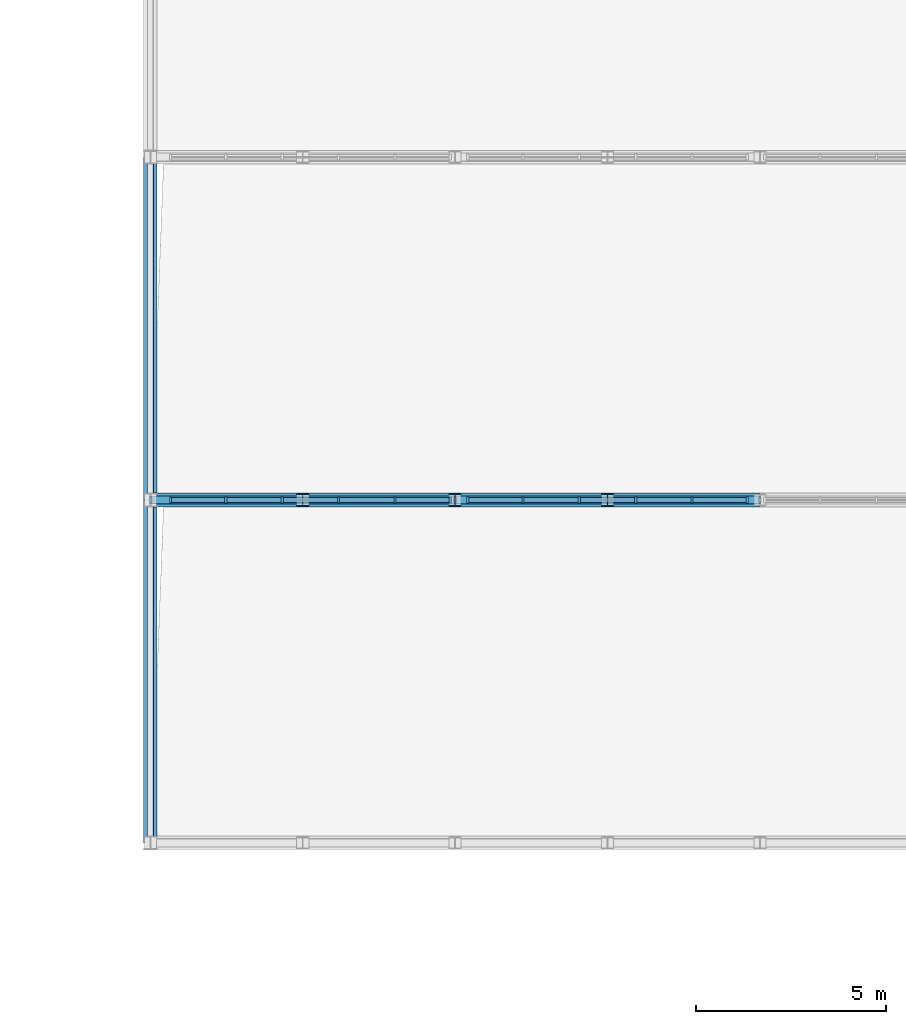
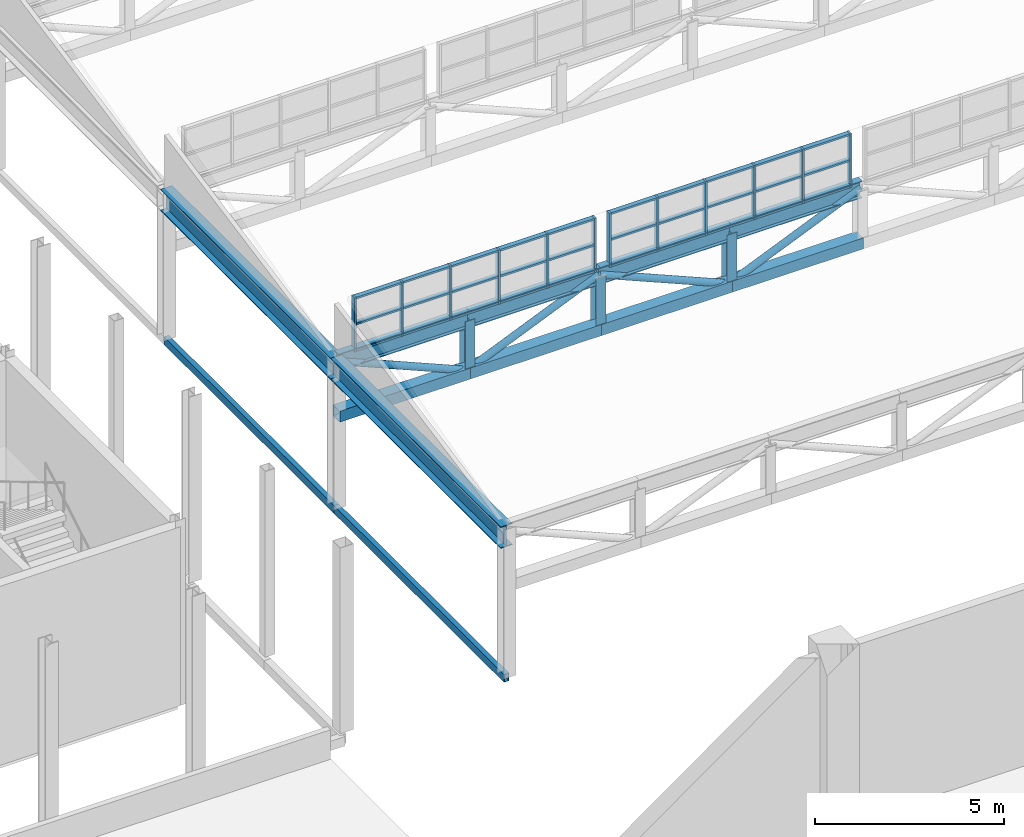
# One storey, part 75 of 159: 57 members, 4 beams, 2 elements without a shape of their own.
"""IFC4 building model written with IfcOpenShell, lengths in metres."""

from ifc_helpers import new_model, si_unit, direction, frame, origin, origin_2d, place, context, subcontext, project, spatial, rectangle, hollow_rectangle, hollow_circle, i_section, extrude, material, layer, layer_set, material_profile, profile_set, type_object, element, aggregate, save


model = new_model("IFC4")

# Units and contexts
model_context = context("Model", 3, precision=1e-05, world=origin(), true_north=direction((0.0, 1.0)))
body_context = subcontext(model_context, "Body", "Model", "MODEL_VIEW")
ifc_project = project(units=[si_unit("LENGTHUNIT", "METRE"), si_unit("AREAUNIT", "SQUARE_METRE"), si_unit("VOLUMEUNIT", "CUBIC_METRE"), si_unit("PLANEANGLEUNIT", "RADIAN"), si_unit("MASSUNIT", "GRAM", prefix="KILO")], contexts=[model_context])

# Site, building, storey
site_placement = place(None, origin())
site = spatial("IfcSite", under=ifc_project, at=site_placement, CompositionType="ELEMENT")
building_placement = place(site_placement, origin())
building = spatial("IfcBuilding", under=site, at=building_placement, Name="Cazmaro Siding Exhibition Halls", CompositionType="ELEMENT")
storey_placement = place(building_placement, frame((0.0, 0.0, 6.0)))
storey = spatial("IfcBuildingStorey", under=building, at=storey_placement, Name="L01", CompositionType="ELEMENT", Elevation=6.0)

# Curtain wall, members
ifc_material_1 = material(Name="Anodized Bronze Aluminum and Solar-Control Low-E Glazing", Category="aluminium")
ifc_layer = layer(ifc_material_1, 0.159912109375)
ifc_layer_set = layer_set([ifc_layer], Name="Anodized Bronze Aluminum and Solar-Control Low-E Glazing")
curtain_wall_type = type_object("IfcCurtainWallType", Name="CWS-04", PredefinedType="USERDEFINED", material=ifc_layer_set)
curtain_wall_1_placement = place(storey_placement, origin())
curtain_wall_1 = element("IfcCurtainWall", 1, at=curtain_wall_1_placement, inside=storey, type_object=curtain_wall_type, Name="Clerestory Curtain Wall CWS-04 CW-110", ObjectType="CLERESTORY CURTAIN WALL", PredefinedType="USERDEFINED")
ifc_material_2 = material(Name="Anodized Bronze Extruded Aluminum", Category="aluminium")
ifc_material_profile_1 = material_profile(ifc_material_2, rectangle(XDim=0.159912109375, YDim=0.06005859375, at=origin_2d()), Name="CWM-04")
ifc_profile_set_1 = profile_set([ifc_material_profile_1], Name="Anodized Bronze Extruded Aluminum")
member_type_1 = type_object("IfcMemberType", Name="CWM-04", PredefinedType="MULLION", material=ifc_profile_set_1)
member_1_placement = place(storey_placement, frame((183.8701171875, 73.0, 4.800048828125), z_axis=(0.0, 0.0, 1.0), x_axis=(0.0, -1.0, 0.0)))
member_1 = element("IfcMember", 2, at=member_1_placement, type_object=member_type_1, Name="CWS-04 mullion 1", PredefinedType="MULLION", context=body_context, shape_type="SweptSolid", body=[
    extrude(rectangle(XDim=0.159912109375, YDim=0.06005859375, at=origin_2d()), origin(), (0.0, 0.0, 1.0), 1.75),
])
member_2_placement = place(storey_placement, frame((182.419921875, 73.0, 4.800048828125), z_axis=(0.0, 0.0, 1.0), x_axis=(0.0, -1.0, 0.0)))
member_2 = element("IfcMember", 3, at=member_2_placement, type_object=member_type_1, Name="CWS-04 mullion 2", PredefinedType="MULLION", context=body_context, shape_type="SweptSolid", body=[
    extrude(rectangle(XDim=0.159912109375, YDim=0.06005859375, at=origin_2d()), origin(), (0.0, 0.0, 1.0), 1.75),
])
member_3_placement = place(storey_placement, frame((180.93994140625, 73.0, 4.800048828125), z_axis=(0.0, 0.0, 1.0), x_axis=(0.0, -1.0, 0.0)))
member_3 = element("IfcMember", 4, at=member_3_placement, type_object=member_type_1, Name="CWS-04 mullion 3", PredefinedType="MULLION", context=body_context, shape_type="SweptSolid", body=[
    extrude(rectangle(XDim=0.159912109375, YDim=0.06005859375, at=origin_2d()), origin(), (0.0, 0.0, 1.0), 1.75),
])
member_4_placement = place(storey_placement, frame((179.4599609375, 73.0, 4.800048828125), z_axis=(0.0, 0.0, 1.0), x_axis=(0.0, -1.0, 0.0)))
member_4 = element("IfcMember", 5, at=member_4_placement, type_object=member_type_1, Name="CWS-04 mullion 4", PredefinedType="MULLION", context=body_context, shape_type="SweptSolid", body=[
    extrude(rectangle(XDim=0.159912109375, YDim=0.06005859375, at=origin_2d()), origin(), (0.0, 0.0, 1.0), 1.75),
])
member_5_placement = place(storey_placement, frame((177.97998046875, 73.0, 4.800048828125), z_axis=(0.0, 0.0, 1.0), x_axis=(0.0, -1.0, 0.0)))
member_5 = element("IfcMember", 6, at=member_5_placement, type_object=member_type_1, Name="CWS-04 mullion 5", PredefinedType="MULLION", context=body_context, shape_type="SweptSolid", body=[
    extrude(rectangle(XDim=0.159912109375, YDim=0.06005859375, at=origin_2d()), origin(), (0.0, 0.0, 1.0), 1.75),
])
member_6_placement = place(storey_placement, frame((176.530029296875, 73.0, 4.800048828125), z_axis=(0.0, 0.0, 1.0), x_axis=(0.0, -1.0, 0.0)))
member_6 = element("IfcMember", 7, at=member_6_placement, type_object=member_type_1, Name="CWS-04 mullion 6", PredefinedType="MULLION", context=body_context, shape_type="SweptSolid", body=[
    extrude(rectangle(XDim=0.159912109375, YDim=0.06005859375, at=origin_2d()), origin(), (0.0, 0.0, 1.0), 1.75),
])

curtain_wall_2_placement = place(storey_placement, origin())
curtain_wall_2 = element("IfcCurtainWall", 8, at=curtain_wall_2_placement, inside=storey, type_object=curtain_wall_type, Name="Clerestory Curtain Wall CWS-04 CW-111", ObjectType="CLERESTORY CURTAIN WALL", PredefinedType="USERDEFINED")
member_7_placement = place(storey_placement, frame((191.669921875, 73.0, 4.800048828125), z_axis=(0.0, 0.0, 1.0), x_axis=(0.0, -1.0, 0.0)))
member_7 = element("IfcMember", 9, at=member_7_placement, type_object=member_type_1, Name="CWS-04 mullion 1", PredefinedType="MULLION", context=body_context, shape_type="SweptSolid", body=[
    extrude(rectangle(XDim=0.159912109375, YDim=0.06005859375, at=origin_2d()), origin(), (0.0, 0.0, 1.0), 1.75),
])
member_8_placement = place(storey_placement, frame((190.219970703125, 73.0, 4.800048828125), z_axis=(0.0, 0.0, 1.0), x_axis=(0.0, -1.0, 0.0)))
member_8 = element("IfcMember", 10, at=member_8_placement, type_object=member_type_1, Name="CWS-04 mullion 2", PredefinedType="MULLION", context=body_context, shape_type="SweptSolid", body=[
    extrude(rectangle(XDim=0.159912109375, YDim=0.06005859375, at=origin_2d()), origin(), (0.0, 0.0, 1.0), 1.75),
])
member_9_placement = place(storey_placement, frame((188.739990234375, 73.0, 4.800048828125), z_axis=(0.0, 0.0, 1.0), x_axis=(0.0, -1.0, 0.0)))
member_9 = element("IfcMember", 11, at=member_9_placement, type_object=member_type_1, Name="CWS-04 mullion 3", PredefinedType="MULLION", context=body_context, shape_type="SweptSolid", body=[
    extrude(rectangle(XDim=0.159912109375, YDim=0.06005859375, at=origin_2d()), origin(), (0.0, 0.0, 1.0), 1.75),
])
member_10_placement = place(storey_placement, frame((187.260009765625, 73.0, 4.800048828125), z_axis=(0.0, 0.0, 1.0), x_axis=(0.0, -1.0, 0.0)))
member_10 = element("IfcMember", 12, at=member_10_placement, type_object=member_type_1, Name="CWS-04 mullion 4", PredefinedType="MULLION", context=body_context, shape_type="SweptSolid", body=[
    extrude(rectangle(XDim=0.159912109375, YDim=0.06005859375, at=origin_2d()), origin(), (0.0, 0.0, 1.0), 1.75),
])
member_11_placement = place(storey_placement, frame((185.780029296875, 73.0, 4.800048828125), z_axis=(0.0, 0.0, 1.0), x_axis=(0.0, -1.0, 0.0)))
member_11 = element("IfcMember", 13, at=member_11_placement, type_object=member_type_1, Name="CWS-04 mullion 5", PredefinedType="MULLION", context=body_context, shape_type="SweptSolid", body=[
    extrude(rectangle(XDim=0.159912109375, YDim=0.06005859375, at=origin_2d()), origin(), (0.0, 0.0, 1.0), 1.75),
])
member_12_placement = place(storey_placement, frame((184.330078125, 73.0, 4.800048828125), z_axis=(0.0, 0.0, 1.0), x_axis=(0.0, -1.0, 0.0)))
member_12 = element("IfcMember", 14, at=member_12_placement, type_object=member_type_1, Name="CWS-04 mullion 6", PredefinedType="MULLION", context=body_context, shape_type="SweptSolid", body=[
    extrude(rectangle(XDim=0.159912109375, YDim=0.06005859375, at=origin_2d()), origin(), (0.0, 0.0, 1.0), 1.75),
])

# Member
ifc_material_3 = material(Name="Anodized Bronze Extruded Aluminum", Category="aluminium")
ifc_material_profile_2 = material_profile(ifc_material_3, rectangle(XDim=0.139892578125, YDim=0.06005859375, at=origin_2d()), Name="CWT-04")
ifc_profile_set_2 = profile_set([ifc_material_profile_2], Name="Anodized Bronze Extruded Aluminum")
member_type_2 = type_object("IfcMemberType", Name="CWT-04", PredefinedType="MULLION", material=ifc_profile_set_2)
member_13_placement = place(storey_placement, frame((183.840087890625, 73.0, 4.830078125), z_axis=(-1.0, 0.0, 0.0), x_axis=(0.0, -1.0, 0.0)))
member_13 = element("IfcMember", 15, at=member_13_placement, type_object=member_type_2, Name="CWS-04 transom 1.1", ObjectType="TRANSOM", PredefinedType="USERDEFINED", context=body_context, shape_type="SweptSolid", body=[
    extrude(rectangle(XDim=0.139892578125, YDim=0.06005859375, at=origin_2d()), origin(), (0.0, 0.0, 1.0), 1.39013671875),
])

member_14_placement = place(storey_placement, frame((183.840087890625, 73.0, 5.679931640625), z_axis=(-1.0, 0.0, 0.0), x_axis=(0.0, -1.0, 0.0)))
member_14 = element("IfcMember", 16, at=member_14_placement, type_object=member_type_2, Name="CWS-04 transom 1.2", ObjectType="TRANSOM", PredefinedType="USERDEFINED", context=body_context, shape_type="SweptSolid", body=[
    extrude(rectangle(XDim=0.139892578125, YDim=0.06005859375, at=origin_2d()), origin(), (0.0, 0.0, 1.0), 1.39013671875),
])

member_15_placement = place(storey_placement, frame((183.840087890625, 73.0, 6.52001953125), z_axis=(-1.0, 0.0, 0.0), x_axis=(0.0, -1.0, 0.0)))
member_15 = element("IfcMember", 17, at=member_15_placement, type_object=member_type_2, Name="CWS-04 transom 1.3", ObjectType="TRANSOM", PredefinedType="USERDEFINED", context=body_context, shape_type="SweptSolid", body=[
    extrude(rectangle(XDim=0.139892578125, YDim=0.06005859375, at=origin_2d()), origin(), (0.0, 0.0, 1.0), 1.39013671875),
])

member_16_placement = place(storey_placement, frame((182.389892578125, 73.0, 4.830078125), z_axis=(-1.0, 0.0, 0.0), x_axis=(0.0, -1.0, 0.0)))
member_16 = element("IfcMember", 18, at=member_16_placement, type_object=member_type_2, Name="CWS-04 transom 2.1", ObjectType="TRANSOM", PredefinedType="USERDEFINED", context=body_context, shape_type="SweptSolid", body=[
    extrude(rectangle(XDim=0.139892578125, YDim=0.06005859375, at=origin_2d()), origin(), (0.0, 0.0, 1.0), 1.419921875),
])

member_17_placement = place(storey_placement, frame((182.389892578125, 73.0, 5.679931640625), z_axis=(-1.0, 0.0, 0.0), x_axis=(0.0, -1.0, 0.0)))
member_17 = element("IfcMember", 19, at=member_17_placement, type_object=member_type_2, Name="CWS-04 transom 2.2", ObjectType="TRANSOM", PredefinedType="USERDEFINED", context=body_context, shape_type="SweptSolid", body=[
    extrude(rectangle(XDim=0.139892578125, YDim=0.06005859375, at=origin_2d()), origin(), (0.0, 0.0, 1.0), 1.419921875),
])

member_18_placement = place(storey_placement, frame((182.389892578125, 73.0, 6.52001953125), z_axis=(-1.0, 0.0, 0.0), x_axis=(0.0, -1.0, 0.0)))
member_18 = element("IfcMember", 20, at=member_18_placement, type_object=member_type_2, Name="CWS-04 transom 2.3", ObjectType="TRANSOM", PredefinedType="USERDEFINED", context=body_context, shape_type="SweptSolid", body=[
    extrude(rectangle(XDim=0.139892578125, YDim=0.06005859375, at=origin_2d()), origin(), (0.0, 0.0, 1.0), 1.419921875),
])

member_19_placement = place(storey_placement, frame((180.909912109375, 73.0, 4.830078125), z_axis=(-1.0, 0.0, 0.0), x_axis=(0.0, -1.0, 0.0)))
member_19 = element("IfcMember", 21, at=member_19_placement, type_object=member_type_2, Name="CWS-04 transom 3.1", ObjectType="TRANSOM", PredefinedType="USERDEFINED", context=body_context, shape_type="SweptSolid", body=[
    extrude(rectangle(XDim=0.139892578125, YDim=0.06005859375, at=origin_2d()), origin(), (0.0, 0.0, 1.0), 1.419921875),
])

member_20_placement = place(storey_placement, frame((180.909912109375, 73.0, 5.679931640625), z_axis=(-1.0, 0.0, 0.0), x_axis=(0.0, -1.0, 0.0)))
member_20 = element("IfcMember", 22, at=member_20_placement, type_object=member_type_2, Name="CWS-04 transom 3.2", ObjectType="TRANSOM", PredefinedType="USERDEFINED", context=body_context, shape_type="SweptSolid", body=[
    extrude(rectangle(XDim=0.139892578125, YDim=0.06005859375, at=origin_2d()), origin(), (0.0, 0.0, 1.0), 1.419921875),
])

member_21_placement = place(storey_placement, frame((180.909912109375, 73.0, 6.52001953125), z_axis=(-1.0, 0.0, 0.0), x_axis=(0.0, -1.0, 0.0)))
member_21 = element("IfcMember", 23, at=member_21_placement, type_object=member_type_2, Name="CWS-04 transom 3.3", ObjectType="TRANSOM", PredefinedType="USERDEFINED", context=body_context, shape_type="SweptSolid", body=[
    extrude(rectangle(XDim=0.139892578125, YDim=0.06005859375, at=origin_2d()), origin(), (0.0, 0.0, 1.0), 1.419921875),
])

member_22_placement = place(storey_placement, frame((179.429931640625, 73.0, 4.830078125), z_axis=(-1.0, 0.0, 0.0), x_axis=(0.0, -1.0, 0.0)))
member_22 = element("IfcMember", 24, at=member_22_placement, type_object=member_type_2, Name="CWS-04 transom 4.1", ObjectType="TRANSOM", PredefinedType="USERDEFINED", context=body_context, shape_type="SweptSolid", body=[
    extrude(rectangle(XDim=0.139892578125, YDim=0.06005859375, at=origin_2d()), origin(), (0.0, 0.0, 1.0), 1.419921875),
])

member_23_placement = place(storey_placement, frame((179.429931640625, 73.0, 5.679931640625), z_axis=(-1.0, 0.0, 0.0), x_axis=(0.0, -1.0, 0.0)))
member_23 = element("IfcMember", 25, at=member_23_placement, type_object=member_type_2, Name="CWS-04 transom 4.2", ObjectType="TRANSOM", PredefinedType="USERDEFINED", context=body_context, shape_type="SweptSolid", body=[
    extrude(rectangle(XDim=0.139892578125, YDim=0.06005859375, at=origin_2d()), origin(), (0.0, 0.0, 1.0), 1.419921875),
])

member_24_placement = place(storey_placement, frame((179.429931640625, 73.0, 6.52001953125), z_axis=(-1.0, 0.0, 0.0), x_axis=(0.0, -1.0, 0.0)))
member_24 = element("IfcMember", 26, at=member_24_placement, type_object=member_type_2, Name="CWS-04 transom 4.3", ObjectType="TRANSOM", PredefinedType="USERDEFINED", context=body_context, shape_type="SweptSolid", body=[
    extrude(rectangle(XDim=0.139892578125, YDim=0.06005859375, at=origin_2d()), origin(), (0.0, 0.0, 1.0), 1.419921875),
])

member_25_placement = place(storey_placement, frame((177.949951171875, 73.0, 4.830078125), z_axis=(-1.0, 0.0, 0.0), x_axis=(0.0, -1.0, 0.0)))
member_25 = element("IfcMember", 27, at=member_25_placement, type_object=member_type_2, Name="CWS-04 transom 5.1", ObjectType="TRANSOM", PredefinedType="USERDEFINED", context=body_context, shape_type="SweptSolid", body=[
    extrude(rectangle(XDim=0.139892578125, YDim=0.06005859375, at=origin_2d()), origin(), (0.0, 0.0, 1.0), 1.389892578125),
])

member_26_placement = place(storey_placement, frame((177.949951171875, 73.0, 5.679931640625), z_axis=(-1.0, 0.0, 0.0), x_axis=(0.0, -1.0, 0.0)))
member_26 = element("IfcMember", 28, at=member_26_placement, type_object=member_type_2, Name="CWS-04 transom 5.2", ObjectType="TRANSOM", PredefinedType="USERDEFINED", context=body_context, shape_type="SweptSolid", body=[
    extrude(rectangle(XDim=0.139892578125, YDim=0.06005859375, at=origin_2d()), origin(), (0.0, 0.0, 1.0), 1.389892578125),
])

member_27_placement = place(storey_placement, frame((177.949951171875, 73.0, 6.52001953125), z_axis=(-1.0, 0.0, 0.0), x_axis=(0.0, -1.0, 0.0)))
member_27 = element("IfcMember", 29, at=member_27_placement, type_object=member_type_2, Name="CWS-04 transom 5.3", ObjectType="TRANSOM", PredefinedType="USERDEFINED", context=body_context, shape_type="SweptSolid", body=[
    extrude(rectangle(XDim=0.139892578125, YDim=0.06005859375, at=origin_2d()), origin(), (0.0, 0.0, 1.0), 1.389892578125),
])

aggregate(curtain_wall_1, [member_1, member_2, member_3, member_4, member_5, member_6, member_13, member_14, member_15, member_16, member_17, member_18, member_19, member_20, member_21, member_22, member_23, member_24, member_25, member_26, member_27])

member_28_placement = place(storey_placement, frame((191.639892578125, 73.0, 4.830078125), z_axis=(-1.0, 0.0, 0.0), x_axis=(0.0, -1.0, 0.0)))
member_28 = element("IfcMember", 30, at=member_28_placement, type_object=member_type_2, Name="CWS-04 transom 1.1", ObjectType="TRANSOM", PredefinedType="USERDEFINED", context=body_context, shape_type="SweptSolid", body=[
    extrude(rectangle(XDim=0.139892578125, YDim=0.06005859375, at=origin_2d()), origin(), (0.0, 0.0, 1.0), 1.389892578125),
])

member_29_placement = place(storey_placement, frame((191.639892578125, 73.0, 5.679931640625), z_axis=(-1.0, 0.0, 0.0), x_axis=(0.0, -1.0, 0.0)))
member_29 = element("IfcMember", 31, at=member_29_placement, type_object=member_type_2, Name="CWS-04 transom 1.2", ObjectType="TRANSOM", PredefinedType="USERDEFINED", context=body_context, shape_type="SweptSolid", body=[
    extrude(rectangle(XDim=0.139892578125, YDim=0.06005859375, at=origin_2d()), origin(), (0.0, 0.0, 1.0), 1.389892578125),
])

member_30_placement = place(storey_placement, frame((191.639892578125, 73.0, 6.52001953125), z_axis=(-1.0, 0.0, 0.0), x_axis=(0.0, -1.0, 0.0)))
member_30 = element("IfcMember", 32, at=member_30_placement, type_object=member_type_2, Name="CWS-04 transom 1.3", ObjectType="TRANSOM", PredefinedType="USERDEFINED", context=body_context, shape_type="SweptSolid", body=[
    extrude(rectangle(XDim=0.139892578125, YDim=0.06005859375, at=origin_2d()), origin(), (0.0, 0.0, 1.0), 1.389892578125),
])

member_31_placement = place(storey_placement, frame((190.18994140625, 73.0, 4.830078125), z_axis=(-1.0, 0.0, 0.0), x_axis=(0.0, -1.0, 0.0)))
member_31 = element("IfcMember", 33, at=member_31_placement, type_object=member_type_2, Name="CWS-04 transom 2.1", ObjectType="TRANSOM", PredefinedType="USERDEFINED", context=body_context, shape_type="SweptSolid", body=[
    extrude(rectangle(XDim=0.139892578125, YDim=0.06005859375, at=origin_2d()), origin(), (0.0, 0.0, 1.0), 1.419921875),
])

member_32_placement = place(storey_placement, frame((190.18994140625, 73.0, 5.679931640625), z_axis=(-1.0, 0.0, 0.0), x_axis=(0.0, -1.0, 0.0)))
member_32 = element("IfcMember", 34, at=member_32_placement, type_object=member_type_2, Name="CWS-04 transom 2.2", ObjectType="TRANSOM", PredefinedType="USERDEFINED", context=body_context, shape_type="SweptSolid", body=[
    extrude(rectangle(XDim=0.139892578125, YDim=0.06005859375, at=origin_2d()), origin(), (0.0, 0.0, 1.0), 1.419921875),
])

member_33_placement = place(storey_placement, frame((190.18994140625, 73.0, 6.52001953125), z_axis=(-1.0, 0.0, 0.0), x_axis=(0.0, -1.0, 0.0)))
member_33 = element("IfcMember", 35, at=member_33_placement, type_object=member_type_2, Name="CWS-04 transom 2.3", ObjectType="TRANSOM", PredefinedType="USERDEFINED", context=body_context, shape_type="SweptSolid", body=[
    extrude(rectangle(XDim=0.139892578125, YDim=0.06005859375, at=origin_2d()), origin(), (0.0, 0.0, 1.0), 1.419921875),
])

member_34_placement = place(storey_placement, frame((188.7099609375, 73.0, 4.830078125), z_axis=(-1.0, 0.0, 0.0), x_axis=(0.0, -1.0, 0.0)))
member_34 = element("IfcMember", 36, at=member_34_placement, type_object=member_type_2, Name="CWS-04 transom 3.1", ObjectType="TRANSOM", PredefinedType="USERDEFINED", context=body_context, shape_type="SweptSolid", body=[
    extrude(rectangle(XDim=0.139892578125, YDim=0.06005859375, at=origin_2d()), origin(), (0.0, 0.0, 1.0), 1.419921875),
])

member_35_placement = place(storey_placement, frame((188.7099609375, 73.0, 5.679931640625), z_axis=(-1.0, 0.0, 0.0), x_axis=(0.0, -1.0, 0.0)))
member_35 = element("IfcMember", 37, at=member_35_placement, type_object=member_type_2, Name="CWS-04 transom 3.2", ObjectType="TRANSOM", PredefinedType="USERDEFINED", context=body_context, shape_type="SweptSolid", body=[
    extrude(rectangle(XDim=0.139892578125, YDim=0.06005859375, at=origin_2d()), origin(), (0.0, 0.0, 1.0), 1.419921875),
])

member_36_placement = place(storey_placement, frame((188.7099609375, 73.0, 6.52001953125), z_axis=(-1.0, 0.0, 0.0), x_axis=(0.0, -1.0, 0.0)))
member_36 = element("IfcMember", 38, at=member_36_placement, type_object=member_type_2, Name="CWS-04 transom 3.3", ObjectType="TRANSOM", PredefinedType="USERDEFINED", context=body_context, shape_type="SweptSolid", body=[
    extrude(rectangle(XDim=0.139892578125, YDim=0.06005859375, at=origin_2d()), origin(), (0.0, 0.0, 1.0), 1.419921875),
])

member_37_placement = place(storey_placement, frame((187.22998046875, 73.0, 4.830078125), z_axis=(-1.0, 0.0, 0.0), x_axis=(0.0, -1.0, 0.0)))
member_37 = element("IfcMember", 39, at=member_37_placement, type_object=member_type_2, Name="CWS-04 transom 4.1", ObjectType="TRANSOM", PredefinedType="USERDEFINED", context=body_context, shape_type="SweptSolid", body=[
    extrude(rectangle(XDim=0.139892578125, YDim=0.06005859375, at=origin_2d()), origin(), (0.0, 0.0, 1.0), 1.419921875),
])

member_38_placement = place(storey_placement, frame((187.22998046875, 73.0, 5.679931640625), z_axis=(-1.0, 0.0, 0.0), x_axis=(0.0, -1.0, 0.0)))
member_38 = element("IfcMember", 40, at=member_38_placement, type_object=member_type_2, Name="CWS-04 transom 4.2", ObjectType="TRANSOM", PredefinedType="USERDEFINED", context=body_context, shape_type="SweptSolid", body=[
    extrude(rectangle(XDim=0.139892578125, YDim=0.06005859375, at=origin_2d()), origin(), (0.0, 0.0, 1.0), 1.419921875),
])

member_39_placement = place(storey_placement, frame((187.22998046875, 73.0, 6.52001953125), z_axis=(-1.0, 0.0, 0.0), x_axis=(0.0, -1.0, 0.0)))
member_39 = element("IfcMember", 41, at=member_39_placement, type_object=member_type_2, Name="CWS-04 transom 4.3", ObjectType="TRANSOM", PredefinedType="USERDEFINED", context=body_context, shape_type="SweptSolid", body=[
    extrude(rectangle(XDim=0.139892578125, YDim=0.06005859375, at=origin_2d()), origin(), (0.0, 0.0, 1.0), 1.419921875),
])

member_40_placement = place(storey_placement, frame((185.75, 73.0, 4.830078125), z_axis=(-1.0, 0.0, 0.0), x_axis=(0.0, -1.0, 0.0)))
member_40 = element("IfcMember", 42, at=member_40_placement, type_object=member_type_2, Name="CWS-04 transom 5.1", ObjectType="TRANSOM", PredefinedType="USERDEFINED", context=body_context, shape_type="SweptSolid", body=[
    extrude(rectangle(XDim=0.139892578125, YDim=0.06005859375, at=origin_2d()), origin(), (0.0, 0.0, 1.0), 1.389892578125),
])

member_41_placement = place(storey_placement, frame((185.75, 73.0, 5.679931640625), z_axis=(-1.0, 0.0, 0.0), x_axis=(0.0, -1.0, 0.0)))
member_41 = element("IfcMember", 43, at=member_41_placement, type_object=member_type_2, Name="CWS-04 transom 5.2", ObjectType="TRANSOM", PredefinedType="USERDEFINED", context=body_context, shape_type="SweptSolid", body=[
    extrude(rectangle(XDim=0.139892578125, YDim=0.06005859375, at=origin_2d()), origin(), (0.0, 0.0, 1.0), 1.389892578125),
])

member_42_placement = place(storey_placement, frame((185.75, 73.0, 6.52001953125), z_axis=(-1.0, 0.0, 0.0), x_axis=(0.0, -1.0, 0.0)))
member_42 = element("IfcMember", 44, at=member_42_placement, type_object=member_type_2, Name="CWS-04 transom 5.3", ObjectType="TRANSOM", PredefinedType="USERDEFINED", context=body_context, shape_type="SweptSolid", body=[
    extrude(rectangle(XDim=0.139892578125, YDim=0.06005859375, at=origin_2d()), origin(), (0.0, 0.0, 1.0), 1.389892578125),
])

aggregate(curtain_wall_2, [member_7, member_8, member_9, member_10, member_11, member_12, member_28, member_29, member_30, member_31, member_32, member_33, member_34, member_35, member_36, member_37, member_38, member_39, member_40, member_41, member_42])

# Beams
ifc_material_4 = material(Name="Steel ASTM A992 Grade 50", Category="steel")
ifc_material_profile_3 = material_profile(ifc_material_4, i_section(OverallWidth=0.35595703125, OverallDepth=0.696044921875, WebThickness=0.014892578125, FlangeThickness=0.02490234375, at=origin_2d()), Name="W27X146")
ifc_profile_set_3 = profile_set([ifc_material_profile_3], Name="Steel ASTM A992 Grade 50")
beam_type_1 = type_object("IfcBeamType", Name="G-05", PredefinedType="USERDEFINED", material=ifc_profile_set_3)
for number, where, z_axis, x_axis, name in (
    (45, (176.0, 64.0, 4.451904296875), (0.0, 1.0, 0.0), (-1.0, 0.0, 0.0), "Beam G-05 BM-1544"),
    (46, (176.0, 73.0, 4.451904296875), (0.0, 1.0, 0.0), (-1.0, 0.0, 0.0), "Beam G-05 BM-1548"),
):
    element("IfcBeam", number, at=place(storey_placement, frame(where, z_axis=z_axis, x_axis=x_axis)), inside=storey, type_object=beam_type_1, Name=name, ObjectType="GIRDER", PredefinedType="USERDEFINED", context=body_context, shape_type="SweptSolid", body=[
        extrude(i_section(OverallWidth=0.35595703125, OverallDepth=0.696044921875, WebThickness=0.014892578125, FlangeThickness=0.02490234375, at=origin_2d()), origin(), (0.0, 0.0, 1.0), 9.0),
    ])
ifc_material_5 = material(Name="Steel ASTM A500 Grade C", Category="steel")
ifc_material_profile_4 = material_profile(ifc_material_5, hollow_rectangle(XDim=0.152099609375, YDim=0.25390625, WallThickness=0.011962890625, at=origin_2d()), Name="HSS10X6X1/2")
ifc_profile_set_4 = profile_set([ifc_material_profile_4], Name="Steel ASTM A500 Grade C")
beam_type_2 = type_object("IfcBeamType", Name="SP-02", PredefinedType="SPANDREL", material=ifc_profile_set_4)
for number, where, z_axis, x_axis, name in (
    (47, (176.0, 64.0, -0.126953125), (0.0, 1.0, 0.0), (-1.0, 0.0, 0.0), "Beam SP-02 BM-1543"),
    (48, (176.0, 73.0, -0.126953125), (0.0, 1.0, 0.0), (-1.0, 0.0, 0.0), "Beam SP-02 BM-1547"),
):
    element("IfcBeam", number, at=place(storey_placement, frame(where, z_axis=z_axis, x_axis=x_axis)), inside=storey, type_object=beam_type_2, Name=name, PredefinedType="SPANDREL", context=body_context, shape_type="SweptSolid", body=[
        extrude(hollow_rectangle(XDim=0.152099609375, YDim=0.25390625, WallThickness=0.011962890625, at=origin_2d()), origin(), (0.0, 0.0, 1.0), 9.0),
    ])

# Members
ifc_material_6 = material(Name="Steel ASTM A992 Grade 50", Category="steel")
ifc_material_profile_5 = material_profile(ifc_material_6, i_section(OverallWidth=0.214111328125, OverallDepth=0.549072265625, WebThickness=0.014892578125, FlangeThickness=0.02392578125, at=origin_2d()), Name="W21X93")
ifc_profile_set_5 = profile_set([ifc_material_profile_5], Name="Steel ASTM A992 Grade 50")
member_type_3 = type_object("IfcMemberType", Name="TC-04", PredefinedType="CHORD", material=ifc_profile_set_5)
for number, where, z_axis, x_axis, name in (
    (49, (176.0, 73.0, 4.64990234375), (1.0, 0.0, 0.0), (0.0, 1.0, 0.0), "Sawtooth truss top chord TC-04 MEM-3010"),
    (50, (180.0, 73.0, 4.64990234375), (1.0, 0.0, 0.0), (0.0, 1.0, 0.0), "Sawtooth truss top chord TC-04 MEM-3013"),
    (51, (184.0, 73.0, 4.64990234375), (1.0, 0.0, 0.0), (0.0, 1.0, 0.0), "Sawtooth truss top chord TC-04 MEM-3016"),
    (52, (188.0, 73.0, 4.64990234375), (1.0, 0.0, 0.0), (0.0, 1.0, 0.0), "Sawtooth truss top chord TC-04 MEM-3019"),
):
    element("IfcMember", number, at=place(storey_placement, frame(where, z_axis=z_axis, x_axis=x_axis)), inside=storey, type_object=member_type_3, Name=name, PredefinedType="CHORD", context=body_context, shape_type="SweptSolid", body=[
        extrude(i_section(OverallWidth=0.214111328125, OverallDepth=0.549072265625, WebThickness=0.014892578125, FlangeThickness=0.02392578125, at=origin_2d()), origin(), (0.0, 0.0, 1.0), 4.0),
    ])
ifc_material_7 = material(Name="Steel ASTM A500 Grade C", Category="steel")
ifc_material_profile_6 = material_profile(ifc_material_7, hollow_rectangle(XDim=0.35595703125, YDim=0.35595703125, WallThickness=0.014892578125, at=origin_2d()), Name="HSS14X14X5/8")
ifc_profile_set_6 = profile_set([ifc_material_profile_6], Name="Steel ASTM A500 Grade C")
member_type_4 = type_object("IfcMemberType", Name="TC-05", PredefinedType="CHORD", material=ifc_profile_set_6)
for number, where, z_axis, x_axis, name in (
    (53, (176.0, 73.0, 2.949951171875), (1.0, 0.0, 0.0), (0.0, 1.0, 0.0), "Sawtooth truss bottom chord TC-05 MEM-3011"),
    (54, (180.0, 73.0, 2.949951171875), (1.0, 0.0, 0.0), (0.0, 1.0, 0.0), "Sawtooth truss bottom chord TC-05 MEM-3014"),
    (55, (184.0, 73.0, 2.949951171875), (1.0, 0.0, 0.0), (0.0, 1.0, 0.0), "Sawtooth truss bottom chord TC-05 MEM-3017"),
    (56, (188.0, 73.0, 2.949951171875), (1.0, 0.0, 0.0), (0.0, 1.0, 0.0), "Sawtooth truss bottom chord TC-05 MEM-3020"),
):
    element("IfcMember", number, at=place(storey_placement, frame(where, z_axis=z_axis, x_axis=x_axis)), inside=storey, type_object=member_type_4, Name=name, PredefinedType="CHORD", context=body_context, shape_type="SweptSolid", body=[
        extrude(hollow_rectangle(XDim=0.35595703125, YDim=0.35595703125, WallThickness=0.014892578125, at=origin_2d()), origin(), (0.0, 0.0, 1.0), 4.0),
    ])
ifc_material_8 = material(Name="Steel ASTM A992 Grade 50", Category="steel")
ifc_material_profile_7 = material_profile(ifc_material_8, i_section(OverallWidth=0.304931640625, OverallDepth=0.306884765625, WebThickness=0.010009765625, FlangeThickness=0.014892578125, at=origin_2d()), Name="W12X65")
ifc_profile_set_7 = profile_set([ifc_material_profile_7], Name="Steel ASTM A992 Grade 50")
member_type_5 = type_object("IfcMemberType", Name="TP-03", PredefinedType="POST", material=ifc_profile_set_7)
for number, where, z_axis, x_axis, name in (
    (57, (180.0, 73.0, 2.949951171875), (0.0, 0.0, 1.0), (1.0, 0.0, 0.0), "Sawtooth truss post TP-03 MEM-3040"),
    (58, (184.0, 73.0, 2.949951171875), (0.0, 0.0, 1.0), (1.0, 0.0, 0.0), "Sawtooth truss post TP-03 MEM-3041"),
    (59, (188.0, 73.0, 2.949951171875), (0.0, 0.0, 1.0), (1.0, 0.0, 0.0), "Sawtooth truss post TP-03 MEM-3042"),
):
    element("IfcMember", number, at=place(storey_placement, frame(where, z_axis=z_axis, x_axis=x_axis)), inside=storey, type_object=member_type_5, Name=name, PredefinedType="POST", context=body_context, shape_type="SweptSolid", body=[
        extrude(i_section(OverallWidth=0.304931640625, OverallDepth=0.306884765625, WebThickness=0.010009765625, FlangeThickness=0.014892578125, at=origin_2d()), origin(), (0.0, 0.0, 1.0), 1.699951171875),
    ])
ifc_material_9 = material(Name="Steel ASTM A500 Grade C", Category="steel")
ifc_material_profile_8 = material_profile(ifc_material_9, hollow_circle(Radius=0.109619140625, WallThickness=0.012939453125, at=origin_2d()), Name="PIPE8XS")
ifc_profile_set_8 = profile_set([ifc_material_profile_8], Name="Steel ASTM A500 Grade C")
member_type_6 = type_object("IfcMemberType", Name="WB-01", PredefinedType="BRACE", material=ifc_profile_set_8)
for number, where, z_axis, x_axis, name in (
    (60, (176.0, 73.0, 4.64990234375), (0.920334962612, 0.0, -0.391131124553), (0.0, 1.0, 0.0), "Sawtooth truss diagonal WB-01 MEM-3012"),
    (61, (180.0, 73.0, 2.949951171875), (0.920334962612, 0.0, 0.391131124553), (0.0, 1.0, 0.0), "Sawtooth truss diagonal WB-01 MEM-3015"),
    (62, (184.0, 73.0, 4.64990234375), (0.920334962612, 0.0, -0.391131124553), (0.0, 1.0, 0.0), "Sawtooth truss diagonal WB-01 MEM-3018"),
    (63, (188.0, 73.0, 2.949951171875), (0.920334962612, 0.0, 0.391131124553), (0.0, 1.0, 0.0), "Sawtooth truss diagonal WB-01 MEM-3021"),
):
    element("IfcMember", number, at=place(storey_placement, frame(where, z_axis=z_axis, x_axis=x_axis)), inside=storey, type_object=member_type_6, Name=name, PredefinedType="BRACE", context=body_context, shape_type="SweptSolid", body=[
        extrude(hollow_circle(Radius=0.109619140625, WallThickness=0.012939453125, at=origin_2d()), origin(), (0.0, 0.0, 1.0), 4.34619140625),
    ])

save(model, "model.ifc")
